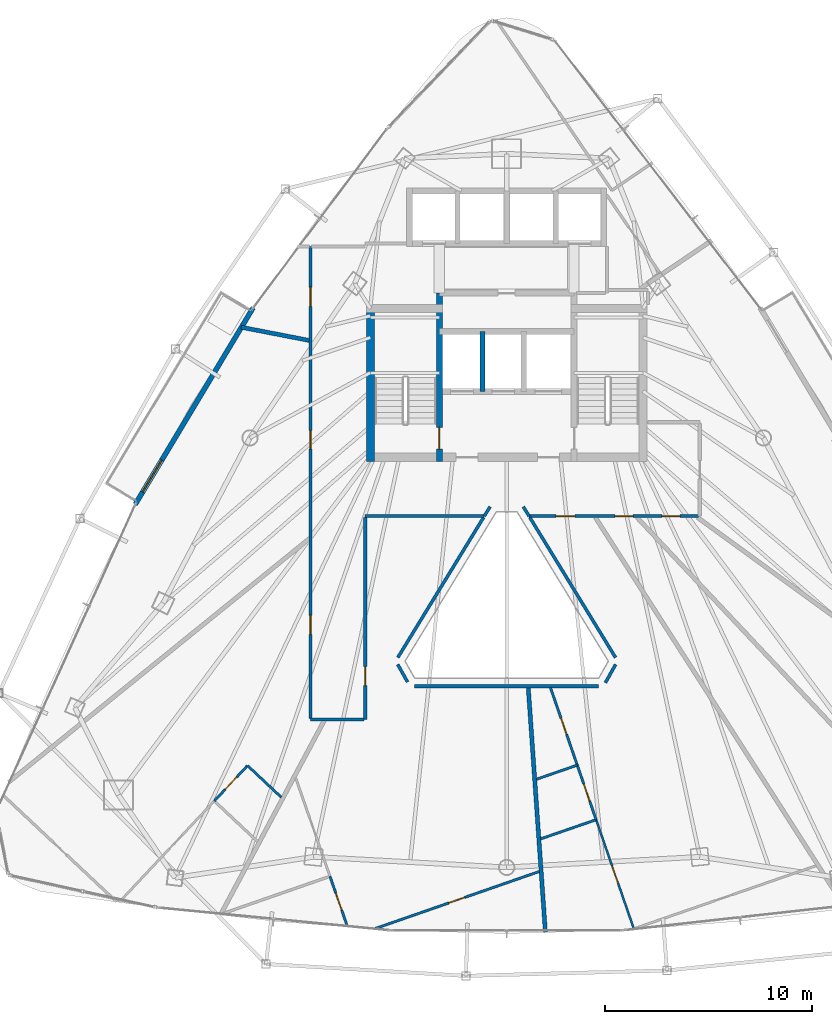
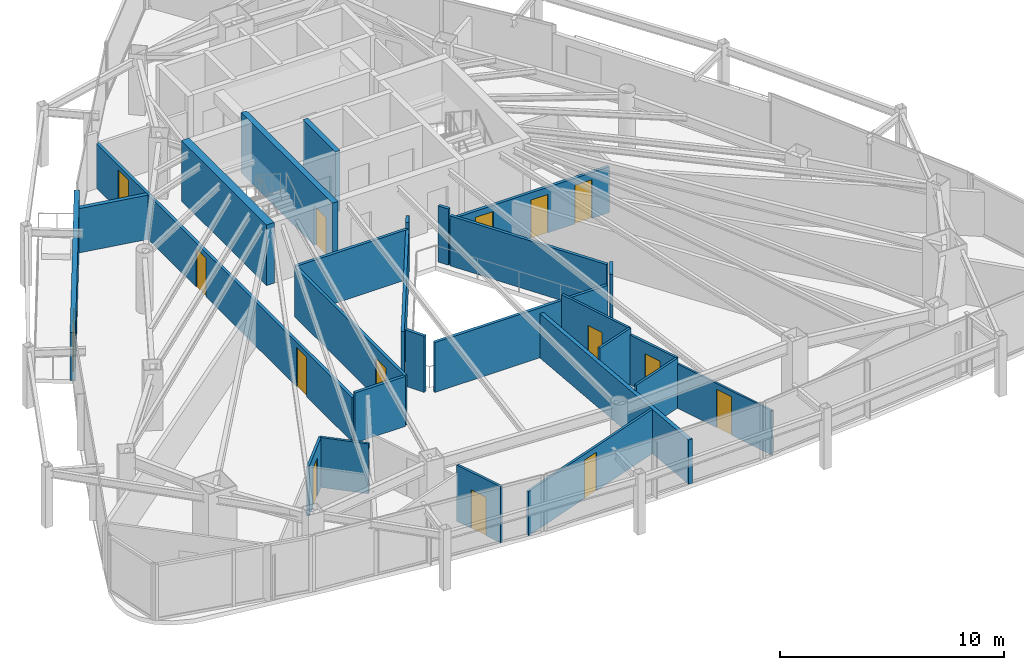
# One storey, part 24 of 29: 27 walls, 15 doors, 15 openings.
"""IFC4 building model written with IfcOpenShell, lengths in metres."""

from ifc_helpers import new_model, si_unit, direction, frame, frame_2d, origin, place, context, subcontext, project, spatial, rectangle, extrude, material, layer, layer_set, type_object, element, fill, save


model = new_model("IFC4")

# Units and contexts
model_context = context("Model", 3, precision=1e-05, world=origin(), true_north=direction((0.0, 1.0)))
body_context = subcontext(model_context, "Body", "Model", "MODEL_VIEW")
ifc_project = project(units=[si_unit("LENGTHUNIT", "METRE"), si_unit("AREAUNIT", "SQUARE_METRE"), si_unit("VOLUMEUNIT", "CUBIC_METRE"), si_unit("PLANEANGLEUNIT", "RADIAN"), si_unit("MASSUNIT", "GRAM", prefix="KILO")], contexts=[model_context])

# Site, building, storey
site_placement = place(None, origin())
site = spatial("IfcSite", under=ifc_project, at=site_placement, CompositionType="ELEMENT")
building_placement = place(site_placement, origin())
building = spatial("IfcBuilding", under=site, at=building_placement, Name="Orvanel Arch Residences", CompositionType="ELEMENT")
storey_placement = place(building_placement, frame((0.0, 0.0, 163.85009765625)))
storey = spatial("IfcBuildingStorey", under=building, at=storey_placement, Name="L46", CompositionType="ELEMENT", Elevation=163.85009765625)

# Wall, opening, door
ifc_material_1 = material(Name="Precast concrete N50 (50 MPa)", Category="concrete")
ifc_layer_1 = layer(ifc_material_1, 0.239990234375)
ifc_layer_set_1 = layer_set([ifc_layer_1], Name="Precast concrete N50 (50 MPa)")
wall_type_1 = type_object("IfcWallType", Name="EW-BAL-240", PredefinedType="SOLIDWALL", material=ifc_layer_set_1)
wall_1_placement = place(storey_placement, frame((20.721923828125, 33.93994140625, 0.0), z_axis=(0.0, 0.0, 1.0), x_axis=(-0.514334017412, -0.85758994778, 0.0)))
wall_1 = element("IfcWall", 1, at=wall_1_placement, inside=storey, type_object=wall_type_1, Name="L46 Balcony Threshold Wall Face 1", PredefinedType="SOLIDWALL", context=body_context, shape_type="SweptSolid", body=[
    extrude(rectangle(XDim=11.099853515625, YDim=0.239990234375, at=frame_2d((5.5498046875, 0.0))), origin(), (0.0, 0.0, 1.0), 2.6240234375),
])
opening_1_placement = place(wall_1_placement, frame((8.60205078125, 0.0, 0.0)))
opening_1 = element("IfcOpeningElement", 2, at=opening_1_placement, cuts=wall_1, Name="Opening DB-180", PredefinedType="OPENING", context=body_context, shape_type="SweptSolid", body=[
    extrude(rectangle(XDim=1.800048828125, YDim=2.199951171875, at=frame_2d((0.89990234375, 1.10009765625))), frame((0.0, 0.1298828125, 0.0), z_axis=(0.0, -1.0, 0.0), x_axis=(1.0, 0.0, 0.0)), (0.0, 0.0, 1.0), 0.260009765625),
])
ifc_material_2 = material(Name="Bronze-anodised aluminium AA6063-T6", Category="aluminium")
door_type_1 = type_object("IfcDoorType", Name="DR-BAL-1800", OperationType="NOTDEFINED", PredefinedType="DOOR", material=ifc_material_2)
door_1_placement = place(opening_1_placement, origin())
door_1 = element("IfcDoor", 3, at=door_1_placement, inside=storey, type_object=door_type_1, Name="DR-L46-BAL-F1 L46 Planted Balcony Access Door Face 1", OperationType="SINGLE_SWING_LEFT", OverallHeight=2.199951171875, OverallWidth=1.800048828125, PredefinedType="DOOR", context=body_context, shape_type="SweptSolid", body=[
    extrude(rectangle(XDim=1.800048828125, YDim=2.199951171875, at=frame_2d((0.89990234375, 1.10009765625))), frame((0.0, 0.02490234375, 0.0), z_axis=(0.0, -1.0, 0.0), x_axis=(1.0, 0.0, 0.0)), (0.0, 0.0, 1.0), 0.050048828125),
])
fill(opening_1, door_1)

# Wall
ifc_material_3 = material(Name="Concrete N50 (50 MPa)", Category="concrete")
ifc_layer_2 = layer(ifc_material_3, 0.25)
ifc_layer_set_2 = layer_set([ifc_layer_2], Name="Concrete N50 (50 MPa)")
wall_type_2 = type_object("IfcWallType", Name="SW-CORE-250", PredefinedType="SHEAR", material=ifc_layer_set_2)
wall_2_placement = place(storey_placement, frame((31.824951171875, 29.889892578125, 0.0), z_axis=(0.0, 0.0, 1.0), x_axis=(0.0, 1.0, 0.0)))
element("IfcWall", 4, at=wall_2_placement, inside=storey, type_object=wall_type_2, Name="L46 Emergency Lift Inter-Shaft Wall F12", PredefinedType="SHEAR", context=body_context, shape_type="SweptSolid", body=[
    extrude(rectangle(XDim=2.900146484375, YDim=0.25, at=frame_2d((1.4501953125, 0.0))), origin(), (0.0, 0.0, 1.0), 3.2998046875),
])

# Wall, opening, door
ifc_material_4 = material(Name="Concrete S65 (65 MPa)", Category="concrete")
ifc_layer_3 = layer(ifc_material_4, 0.280029296875)
ifc_layer_set_3 = layer_set([ifc_layer_3], Name="Concrete S65 (65 MPa)")
wall_type_3 = type_object("IfcWallType", Name="SW-CORE-280", PredefinedType="SHEAR", material=ifc_layer_set_3)
wall_3_placement = place(storey_placement, frame((29.739990234375, 26.5, 0.0), z_axis=(0.0, 0.0, 1.0), x_axis=(0.0, 1.0, 0.0)))
wall_3 = element("IfcWall", 5, at=wall_3_placement, inside=storey, type_object=wall_type_3, Name="L46 West Inner Core Spine Shear Wall", PredefinedType="SHEAR", context=body_context, shape_type="SweptSolid", body=[
    extrude(rectangle(XDim=8.14990234375, YDim=0.280029296875, at=frame_2d((4.074951171875, 0.0))), origin(), (0.0, 0.0, 1.0), 3.2998046875),
])
opening_2_placement = place(wall_3_placement, frame((0.60009765625, 0.0, 0.0)))
opening_2 = element("IfcOpeningElement", 6, at=opening_2_placement, cuts=wall_3, Name="Opening DF-120", PredefinedType="OPENING", context=body_context, shape_type="SweptSolid", body=[
    extrude(rectangle(XDim=1.050048828125, YDim=2.14990234375, at=frame_2d((0.52490234375, 1.074951171875))), frame((0.0, 0.14990234375, 0.0), z_axis=(0.0, -1.0, 0.0), x_axis=(1.0, 0.0, 0.0)), (0.0, 0.0, 1.0), 0.300048828125),
])
ifc_material_5 = material(Name="Galvanised steel fire-resisting door assembly", Category="steel")
door_type_2 = type_object("IfcDoorType", Name="DR-FD120-1050", OperationType="NOTDEFINED", PredefinedType="DOOR", material=ifc_material_5)
door_2_placement = place(opening_2_placement, origin())
door_2 = element("IfcDoor", 7, at=door_2_placement, inside=storey, type_object=door_type_2, Name="DR-L46-ST1 L46 Stair 1 Fire Door", OperationType="SINGLE_SWING_LEFT", OverallHeight=2.14990234375, OverallWidth=1.050048828125, PredefinedType="DOOR", context=body_context, shape_type="SweptSolid", body=[
    extrude(rectangle(XDim=1.050048828125, YDim=2.14990234375, at=frame_2d((0.52490234375, 1.074951171875))), frame((0.0, 0.02490234375, 0.0), z_axis=(0.0, -1.0, 0.0), x_axis=(1.0, 0.0, 0.0)), (0.0, 0.0, 1.0), 0.050048828125),
])
fill(opening_2, door_2)

# Walls
ifc_layer_4 = layer(ifc_material_4, 0.39990234375)
ifc_layer_set_4 = layer_set([ifc_layer_4], Name="Concrete S65 (65 MPa)")
wall_type_4 = type_object("IfcWallType", Name="SW-CORE-400", PredefinedType="SHEAR", material=ifc_layer_set_4)
wall_4_placement = place(storey_placement, frame((26.39990234375, 26.5, 0.0), z_axis=(0.0, 0.0, 1.0), x_axis=(0.0, 1.0, 0.0)))
element("IfcWall", 8, at=wall_4_placement, inside=storey, type_object=wall_type_4, Name="L46 West Stair Shear Wall", PredefinedType="SHEAR", context=body_context, shape_type="SweptSolid", body=[
    extrude(rectangle(XDim=7.60009765625, YDim=0.39990234375, at=frame_2d((3.800048828125, 0.0))), origin(), (0.0, 0.0, 1.0), 3.2998046875),
])
ifc_material_6 = material(Name="Fire-rated plasterboard lined steel stud partition", Category="steel")
ifc_layer_5 = layer(ifc_material_6, 0.14990234375)
ifc_layer_set_5 = layer_set([ifc_layer_5], Name="Fire-rated plasterboard lined steel stud partition")
wall_type_5 = type_object("IfcWallType", Name="W-COR-150", PredefinedType="PARTITIONING", material=ifc_layer_set_5)
wall_5_placement = place(storey_placement, frame((32.197021484375, 24.305908203125, 0.0), z_axis=(0.0, 0.0, 1.0), x_axis=(-0.530039765459, -0.847972786728, 0.0)))
element("IfcWall", 9, at=wall_5_placement, inside=storey, type_object=wall_type_5, Name="L46 Corridor Fire-Rated Partition", PredefinedType="PARTITIONING", context=body_context, shape_type="SweptSolid", body=[
    extrude(rectangle(XDim=0.53759765625, YDim=0.14990234375, at=frame_2d((0.268798828125, 0.0))), origin(), (0.0, 0.0, 1.0), 3.059814453125),
])
wall_6_placement = place(storey_placement, frame((31.912109375, 23.85009765625, 0.0), z_axis=(0.0, 0.0, 1.0), x_axis=(-1.0, 0.0, 0.0)))
element("IfcWall", 10, at=wall_6_placement, inside=storey, type_object=wall_type_5, Name="L46 Corridor Fire-Rated Partition", PredefinedType="PARTITIONING", context=body_context, shape_type="SweptSolid", body=[
    extrude(rectangle(XDim=5.76220703125, YDim=0.14990234375, at=frame_2d((2.881103515625, 0.0))), origin(), (0.0, 0.0, 1.0), 2.720947265625),
])

# Wall, opening, door
wall_7_placement = place(storey_placement, frame((26.14990234375, 23.7900390625, 0.0), z_axis=(0.0, 0.0, 1.0), x_axis=(0.0, -1.0, 0.0)))
wall_7 = element("IfcWall", 11, at=wall_7_placement, inside=storey, type_object=wall_type_5, Name="L46 Corridor Fire-Rated Partition", PredefinedType="PARTITIONING", context=body_context, shape_type="SweptSolid", body=[
    extrude(rectangle(XDim=9.7900390625, YDim=0.14990234375, at=frame_2d((4.89501953125, 0.0))), origin(), (0.0, 0.0, 1.0), 2.720947265625),
])
opening_3_placement = place(wall_7_placement, frame((7.220947265625, 0.0, 0.0)))
opening_3 = element("IfcOpeningElement", 12, at=opening_3_placement, cuts=wall_7, Name="Opening DA-092", PredefinedType="OPENING", context=body_context, shape_type="SweptSolid", body=[
    extrude(rectangle(XDim=0.919921875, YDim=2.14990234375, at=frame_2d((0.4599609375, 1.074951171875))), frame((0.0, 0.0849609375, 0.0), z_axis=(0.0, -1.0, 0.0), x_axis=(1.0, 0.0, 0.0)), (0.0, 0.0, 1.0), 0.169921875),
])
ifc_material_7 = material(Name="Solid-core European oak veneer fire door leaf", Category="wood")
door_type_3 = type_object("IfcDoorType", Name="DR-APT-920", OperationType="NOTDEFINED", PredefinedType="DOOR", material=ifc_material_7)
door_3_placement = place(opening_3_placement, origin())
door_3 = element("IfcDoor", 13, at=door_3_placement, inside=storey, type_object=door_type_3, Name="DR-L46-B-ENT L46 Studio B Entrance Door", OperationType="SINGLE_SWING_LEFT", OverallHeight=2.14990234375, OverallWidth=0.919921875, PredefinedType="DOOR", context=body_context, shape_type="SweptSolid", body=[
    extrude(rectangle(XDim=0.919921875, YDim=2.14990234375, at=frame_2d((0.4599609375, 1.074951171875))), frame((0.0, 0.02490234375, 0.0), z_axis=(0.0, -1.0, 0.0), x_axis=(1.0, 0.0, 0.0)), (0.0, 0.0, 1.0), 0.050048828125),
])
fill(opening_3, door_3)

# Wall
wall_8_placement = place(storey_placement, frame((26.090087890625, 14.0, 0.0), z_axis=(0.0, 0.0, 1.0), x_axis=(-1.0, 0.0, 0.0)))
element("IfcWall", 14, at=wall_8_placement, inside=storey, type_object=wall_type_5, Name="L46 Corridor Fire-Rated Partition", PredefinedType="PARTITIONING", context=body_context, shape_type="SweptSolid", body=[
    extrude(rectangle(XDim=2.590087890625, YDim=0.14990234375, at=frame_2d((1.294921875, 0.0))), origin(), (0.0, 0.0, 1.0), 2.720947265625),
])

# Wall, openings, doors
wall_9_placement = place(storey_placement, frame((23.5, 14.06005859375, 0.0), z_axis=(0.0, 0.0, 1.0), x_axis=(0.0, 1.0, 0.0)))
wall_9 = element("IfcWall", 15, at=wall_9_placement, inside=storey, type_object=wall_type_5, Name="L46 Corridor Fire-Rated Partition", PredefinedType="PARTITIONING", context=body_context, shape_type="SweptSolid", body=[
    extrude(rectangle(XDim=22.83984375, YDim=0.14990234375, at=frame_2d((11.419921875, 0.0))), origin(), (0.0, 0.0, 1.0), 2.412841796875),
])
opening_4_placement = place(wall_9_placement, frame((4.06396484375, 0.0, 0.0)))
opening_4 = element("IfcOpeningElement", 16, at=opening_4_placement, cuts=wall_9, Name="Opening DA-092", PredefinedType="OPENING", context=body_context, shape_type="SweptSolid", body=[
    extrude(rectangle(XDim=0.919921875, YDim=2.14990234375, at=frame_2d((0.4599609375, 1.074951171875))), frame((0.0, 0.0849609375, 0.0), z_axis=(0.0, -1.0, 0.0), x_axis=(1.0, 0.0, 0.0)), (0.0, 0.0, 1.0), 0.169921875),
])
opening_5_placement = place(wall_9_placement, frame((13.047119140625, 0.0, 0.0)))
opening_5 = element("IfcOpeningElement", 17, at=opening_5_placement, cuts=wall_9, Name="Opening DI-088", PredefinedType="OPENING", context=body_context, shape_type="SweptSolid", body=[
    extrude(rectangle(XDim=0.8798828125, YDim=2.10009765625, at=frame_2d((0.43994140625, 1.050048828125))), frame((0.0, 0.0849609375, 0.0), z_axis=(0.0, -1.0, 0.0), x_axis=(1.0, 0.0, 0.0)), (0.0, 0.0, 1.0), 0.169921875),
])
opening_6_placement = place(wall_9_placement, frame((19.952880859375, 0.0, 0.0)))
opening_6 = element("IfcOpeningElement", 18, at=opening_6_placement, cuts=wall_9, Name="Opening DA-092", PredefinedType="OPENING", context=body_context, shape_type="SweptSolid", body=[
    extrude(rectangle(XDim=0.919921875, YDim=2.14990234375, at=frame_2d((0.4599609375, 1.074951171875))), frame((0.0, 0.0849609375, 0.0), z_axis=(0.0, -1.0, 0.0), x_axis=(1.0, 0.0, 0.0)), (0.0, 0.0, 1.0), 0.169921875),
])
door_4_placement = place(opening_4_placement, origin())
door_4 = element("IfcDoor", 19, at=door_4_placement, inside=storey, type_object=door_type_3, Name="DR-L46-C-ENT L46 Flat C Entrance Door", OperationType="SINGLE_SWING_RIGHT", OverallHeight=2.14990234375, OverallWidth=0.919921875, PredefinedType="DOOR", context=body_context, shape_type="SweptSolid", body=[
    extrude(rectangle(XDim=0.919921875, YDim=2.14990234375, at=frame_2d((0.4599609375, 1.074951171875))), frame((0.0, 0.02490234375, 0.0), z_axis=(0.0, -1.0, 0.0), x_axis=(1.0, 0.0, 0.0)), (0.0, 0.0, 1.0), 0.050048828125),
])
fill(opening_4, door_4)
door_5_placement = place(opening_6_placement, origin())
door_5 = element("IfcDoor", 20, at=door_5_placement, inside=storey, type_object=door_type_3, Name="DR-L46-F-ENT L46 Studio F Entrance Door", OperationType="SINGLE_SWING_LEFT", OverallHeight=2.14990234375, OverallWidth=0.919921875, PredefinedType="DOOR", context=body_context, shape_type="SweptSolid", body=[
    extrude(rectangle(XDim=0.919921875, YDim=2.14990234375, at=frame_2d((0.4599609375, 1.074951171875))), frame((0.0, 0.02490234375, 0.0), z_axis=(0.0, -1.0, 0.0), x_axis=(1.0, 0.0, 0.0)), (0.0, 0.0, 1.0), 0.050048828125),
])
fill(opening_6, door_5)
door_type_4 = type_object("IfcDoorType", Name="DR-INT-880", OperationType="NOTDEFINED", PredefinedType="DOOR", material=ifc_material_7)
door_6_placement = place(opening_5_placement, origin())
door_6 = element("IfcDoor", 21, at=door_6_placement, inside=storey, type_object=door_type_4, Name="DR-L46-SHRD-FB5 L46 Co-Working Study Office E Door", OperationType="SINGLE_SWING_LEFT", OverallHeight=2.10009765625, OverallWidth=0.8798828125, PredefinedType="DOOR", context=body_context, shape_type="SweptSolid", body=[
    extrude(rectangle(XDim=0.8798828125, YDim=2.10009765625, at=frame_2d((0.43994140625, 1.050048828125))), frame((0.0, 0.02490234375, 0.0), z_axis=(0.0, -1.0, 0.0), x_axis=(1.0, 0.0, 0.0)), (0.0, 0.0, 1.0), 0.050048828125),
])
fill(opening_5, door_6)

wall_10_placement = place(storey_placement, frame((42.2900390625, 23.85009765625, 0.0), z_axis=(0.0, 0.0, 1.0), x_axis=(-1.0, 0.0, 0.0)))
wall_10 = element("IfcWall", 22, at=wall_10_placement, inside=storey, type_object=wall_type_5, Name="L46 Corridor Fire-Rated Partition", PredefinedType="PARTITIONING", context=body_context, shape_type="SweptSolid", body=[
    extrude(rectangle(XDim=8.2021484375, YDim=0.14990234375, at=frame_2d((4.10107421875, 0.0))), origin(), (0.0, 0.0, 1.0), 2.491943359375),
])
opening_7_placement = place(wall_10_placement, frame((5.987060546875, 0.0, 0.0)))
opening_7 = element("IfcOpeningElement", 23, at=opening_7_placement, cuts=wall_10, Name="Opening DA-092", PredefinedType="OPENING", context=body_context, shape_type="SweptSolid", body=[
    extrude(rectangle(XDim=0.919921875, YDim=2.14990234375, at=frame_2d((0.4599609375, 1.074951171875))), frame((0.0, 0.0849609375, 0.0), z_axis=(0.0, -1.0, 0.0), x_axis=(1.0, 0.0, 0.0)), (0.0, 0.0, 1.0), 0.169921875),
])
opening_8_placement = place(wall_10_placement, frame((0.89404296875, 0.0, 0.0)))
opening_8 = element("IfcOpeningElement", 24, at=opening_8_placement, cuts=wall_10, Name="Opening DI-088", PredefinedType="OPENING", context=body_context, shape_type="SweptSolid", body=[
    extrude(rectangle(XDim=0.8798828125, YDim=2.10009765625, at=frame_2d((0.43994140625, 1.050048828125))), frame((0.0, 0.0849609375, 0.0), z_axis=(0.0, -1.0, 0.0), x_axis=(1.0, 0.0, 0.0)), (0.0, 0.0, 1.0), 0.169921875),
])
opening_9_placement = place(wall_10_placement, frame((3.1689453125, 0.0, 0.0)))
opening_9 = element("IfcOpeningElement", 25, at=opening_9_placement, cuts=wall_10, Name="Opening DI-088", PredefinedType="OPENING", context=body_context, shape_type="SweptSolid", body=[
    extrude(rectangle(XDim=0.8798828125, YDim=2.10009765625, at=frame_2d((0.43994140625, 1.050048828125))), frame((0.0, 0.0849609375, 0.0), z_axis=(0.0, -1.0, 0.0), x_axis=(1.0, 0.0, 0.0)), (0.0, 0.0, 1.0), 0.169921875),
])
door_7_placement = place(opening_7_placement, origin())
door_7 = element("IfcDoor", 26, at=door_7_placement, inside=storey, type_object=door_type_3, Name="DR-L46-A-ENT L46 Flat A Entrance Door", OperationType="SINGLE_SWING_RIGHT", OverallHeight=2.14990234375, OverallWidth=0.919921875, PredefinedType="DOOR", context=body_context, shape_type="SweptSolid", body=[
    extrude(rectangle(XDim=0.919921875, YDim=2.14990234375, at=frame_2d((0.4599609375, 1.074951171875))), frame((0.0, 0.02490234375, 0.0), z_axis=(0.0, -1.0, 0.0), x_axis=(1.0, 0.0, 0.0)), (0.0, 0.0, 1.0), 0.050048828125),
])
fill(opening_7, door_7)
door_8_placement = place(opening_8_placement, origin())
door_8 = element("IfcDoor", 27, at=door_8_placement, inside=storey, type_object=door_type_4, Name="DR-L46-SHRD-FB7 L46 Co-Working Study Office G Door", OperationType="SINGLE_SWING_LEFT", OverallHeight=2.10009765625, OverallWidth=0.8798828125, PredefinedType="DOOR", context=body_context, shape_type="SweptSolid", body=[
    extrude(rectangle(XDim=0.8798828125, YDim=2.10009765625, at=frame_2d((0.43994140625, 1.050048828125))), frame((0.0, 0.02490234375, 0.0), z_axis=(0.0, -1.0, 0.0), x_axis=(1.0, 0.0, 0.0)), (0.0, 0.0, 1.0), 0.050048828125),
])
fill(opening_8, door_8)
door_9_placement = place(opening_9_placement, origin())
door_9 = element("IfcDoor", 28, at=door_9_placement, inside=storey, type_object=door_type_4, Name="DR-L46-SHRD-FB8 L46 Co-Working Study Office H Door", OperationType="SINGLE_SWING_LEFT", OverallHeight=2.10009765625, OverallWidth=0.8798828125, PredefinedType="DOOR", context=body_context, shape_type="SweptSolid", body=[
    extrude(rectangle(XDim=0.8798828125, YDim=2.10009765625, at=frame_2d((0.43994140625, 1.050048828125))), frame((0.0, 0.02490234375, 0.0), z_axis=(0.0, -1.0, 0.0), x_axis=(1.0, 0.0, 0.0)), (0.0, 0.0, 1.0), 0.050048828125),
])
fill(opening_9, door_9)

# Walls
wall_11_placement = place(storey_placement, frame((34.087890625, 23.85009765625, 0.0), z_axis=(0.0, 0.0, 1.0), x_axis=(-0.530039765459, 0.847972786728, 0.0)))
element("IfcWall", 29, at=wall_11_placement, inside=storey, type_object=wall_type_5, Name="L46 Corridor Fire-Rated Partition", PredefinedType="PARTITIONING", context=body_context, shape_type="SweptSolid", body=[
    extrude(rectangle(XDim=0.53759765625, YDim=0.14990234375, at=frame_2d((0.268798828125, 0.0))), origin(), (0.0, 0.0, 1.0), 3.059814453125),
])
wall_12_placement = place(storey_placement, frame((34.118896484375, 23.7900390625, 0.0), z_axis=(0.0, 0.0, 1.0), x_axis=(0.521942869651, -0.852980445744, 0.0)))
element("IfcWall", 30, at=wall_12_placement, inside=storey, type_object=wall_type_5, Name="L46 Atrium Overlook Glazed Partition", PredefinedType="PARTITIONING", context=body_context, shape_type="SweptSolid", body=[
    extrude(rectangle(XDim=7.953125, YDim=0.14990234375, at=frame_2d((3.9765625, 0.0))), origin(), (0.0, 0.0, 1.0), 2.720947265625),
])
wall_13_placement = place(storey_placement, frame((38.27587890625, 16.669921875, 0.0), z_axis=(0.0, 0.0, 1.0), x_axis=(-0.489067077696, -0.872246177127, 0.0)))
element("IfcWall", 31, at=wall_13_placement, inside=storey, type_object=wall_type_5, Name="L46 Atrium Overlook Glazed Partition", PredefinedType="PARTITIONING", context=body_context, shape_type="SweptSolid", body=[
    extrude(rectangle(XDim=1.009765625, YDim=0.14990234375, at=frame_2d((0.5048828125, 0.0))), origin(), (0.0, 0.0, 1.0), 3.059814453125),
])
wall_14_placement = place(storey_placement, frame((37.452880859375, 15.616943359375, 0.0), z_axis=(0.0, 0.0, 1.0), x_axis=(-1.0, 0.0, 0.0)))
element("IfcWall", 32, at=wall_14_placement, inside=storey, type_object=wall_type_5, Name="L46 Atrium Overlook Glazed Partition", PredefinedType="PARTITIONING", context=body_context, shape_type="SweptSolid", body=[
    extrude(rectangle(XDim=8.90576171875, YDim=0.14990234375, at=frame_2d((4.452880859375, 0.0))), origin(), (0.0, 0.0, 1.0), 2.720947265625),
])
wall_15_placement = place(storey_placement, frame((28.197998046875, 15.821044921875, 0.0), z_axis=(0.0, 0.0, 1.0), x_axis=(-0.487432951818, 0.873160419099, 0.0)))
element("IfcWall", 33, at=wall_15_placement, inside=storey, type_object=wall_type_5, Name="L46 Atrium Overlook Glazed Partition", PredefinedType="PARTITIONING", context=body_context, shape_type="SweptSolid", body=[
    extrude(rectangle(XDim=0.97216796875, YDim=0.14990234375, at=frame_2d((0.486083984375, 0.0))), origin(), (0.0, 0.0, 1.0), 3.059814453125),
])
wall_16_placement = place(storey_placement, frame((27.72998046875, 17.006103515625, 0.0), z_axis=(0.0, 0.0, 1.0), x_axis=(0.521942869651, 0.852980445744, 0.0)))
element("IfcWall", 34, at=wall_16_placement, inside=storey, type_object=wall_type_5, Name="L46 Atrium Overlook Glazed Partition", PredefinedType="PARTITIONING", context=body_context, shape_type="SweptSolid", body=[
    extrude(rectangle(XDim=7.953125, YDim=0.14990234375, at=frame_2d((3.9765625, 0.0))), origin(), (0.0, 0.0, 1.0), 2.720947265625),
])
ifc_layer_6 = layer(ifc_material_6, 0.199951171875)
ifc_layer_set_6 = layer_set([ifc_layer_6], Name="Fire-rated plasterboard lined steel stud partition")
wall_type_6 = type_object("IfcWallType", Name="W-DEM-200", PredefinedType="PARTITIONING", material=ifc_layer_set_6)
wall_17_placement = place(storey_placement, frame((34.8740234375, 3.7041015625, 0.0), z_axis=(0.0, 0.0, 1.0), x_axis=(-0.069779440561, 0.997562443998, 0.0)))
element("IfcWall", 35, at=wall_17_placement, inside=storey, type_object=wall_type_6, Name="L46 Inter-Tenancy Acoustic Demising Wall", PredefinedType="PARTITIONING", context=body_context, shape_type="SweptSolid", body=[
    extrude(rectangle(XDim=11.8818359375, YDim=0.199951171875, at=frame_2d((5.94091796875, 0.0))), origin(), (0.0, 0.0, 1.0), 2.412841796875),
])
wall_18_placement = place(storey_placement, frame((20.14111328125, 33.0, 0.0), z_axis=(0.0, 0.0, 1.0), x_axis=(0.981579076432, -0.191056318163, 0.0)))
element("IfcWall", 36, at=wall_18_placement, inside=storey, type_object=wall_type_6, Name="L46 Inter-Tenancy Acoustic Demising Wall", PredefinedType="PARTITIONING", context=body_context, shape_type="SweptSolid", body=[
    extrude(rectangle(XDim=3.36083984375, YDim=0.199951171875, at=frame_2d((1.680419921875, 0.0))), origin(), (0.0, 0.0, 1.0), 2.412841796875),
])

# Wall, opening, door
ifc_material_8 = material(Name="Acoustic plasterboard lined twin-stud partition", Category="gypsum")
ifc_layer_7 = layer(ifc_material_8, 0.10009765625)
ifc_layer_set_7 = layer_set([ifc_layer_7], Name="Acoustic plasterboard lined twin-stud partition")
wall_type_7 = type_object("IfcWallType", Name="W-INT-100", PredefinedType="PARTITIONING", material=ifc_layer_set_7)
wall_19_placement = place(storey_placement, frame((39.1640625, 3.847900390625, 0.0), z_axis=(0.0, 0.0, 1.0), x_axis=(-0.326778856457, 0.945100830056, 0.0)))
wall_19 = element("IfcWall", 37, at=wall_19_placement, inside=storey, type_object=wall_type_7, Name="L46 Flat A Internal Partition", PredefinedType="PARTITIONING", context=body_context, shape_type="SweptSolid", body=[
    extrude(rectangle(XDim=5.6123046875, YDim=0.10009765625, at=frame_2d((2.80615234375, 0.0))), origin(), (0.0, 0.0, 1.0), 2.412841796875),
])
opening_10_placement = place(wall_19_placement, frame((2.365966796875, 0.0, 0.0)))
opening_10 = element("IfcOpeningElement", 38, at=opening_10_placement, cuts=wall_19, Name="Opening DI-088", PredefinedType="OPENING", context=body_context, shape_type="SweptSolid", body=[
    extrude(rectangle(XDim=0.8798828125, YDim=2.10009765625, at=frame_2d((0.43994140625, 1.050048828125))), frame((0.0, 0.06005859375, 0.0), z_axis=(0.0, -1.0, 0.0), x_axis=(1.0, 0.0, 0.0)), (0.0, 0.0, 1.0), 0.1201171875),
])
door_10_placement = place(opening_10_placement, origin())
door_10 = element("IfcDoor", 39, at=door_10_placement, inside=storey, type_object=door_type_4, Name="DR-L46-A-BED1 L46 Flat A Bedroom 1 Door", OperationType="SINGLE_SWING_LEFT", OverallHeight=2.10009765625, OverallWidth=0.8798828125, PredefinedType="DOOR", context=body_context, shape_type="SweptSolid", body=[
    extrude(rectangle(XDim=0.8798828125, YDim=2.10009765625, at=frame_2d((0.43994140625, 1.050048828125))), frame((0.0, 0.02490234375, 0.0), z_axis=(0.0, -1.0, 0.0), x_axis=(1.0, 0.0, 0.0)), (0.0, 0.0, 1.0), 0.050048828125),
])
fill(opening_10, door_10)

ifc_layer_8 = layer(ifc_material_8, 0.1201171875)
ifc_layer_set_8 = layer_set([ifc_layer_8], Name="Acoustic plasterboard lined twin-stud partition")
wall_type_8 = type_object("IfcWallType", Name="W-WET-120", PredefinedType="PARTITIONING", material=ifc_layer_set_8)
wall_20_placement = place(storey_placement, frame((36.4169921875, 11.7939453125, 0.0), z_axis=(0.0, 0.0, 1.0), x_axis=(-0.326767254884, 0.945104841346, 0.0)))
wall_20 = element("IfcWall", 40, at=wall_20_placement, inside=storey, type_object=wall_type_8, Name="L46 Flat A Bathroom Partition", PredefinedType="PARTITIONING", context=body_context, shape_type="SweptSolid", body=[
    extrude(rectangle(XDim=3.9814453125, YDim=0.1201171875, at=frame_2d((1.99072265625, 0.0))), origin(), (0.0, 0.0, 1.0), 3.059814453125),
])
opening_11_placement = place(wall_20_placement, frame((1.5810546875, 0.0, 0.0)))
opening_11 = element("IfcOpeningElement", 41, at=opening_11_placement, cuts=wall_20, Name="Opening DW-082", PredefinedType="OPENING", context=body_context, shape_type="SweptSolid", body=[
    extrude(rectangle(XDim=0.820068359375, YDim=2.10009765625, at=frame_2d((0.41015625, 1.050048828125))), frame((0.0, 0.070068359375, 0.0), z_axis=(0.0, -1.0, 0.0), x_axis=(1.0, 0.0, 0.0)), (0.0, 0.0, 1.0), 0.14013671875),
])
door_type_5 = type_object("IfcDoorType", Name="DR-WET-820", OperationType="NOTDEFINED", PredefinedType="DOOR", material=ifc_material_7)
door_11_placement = place(opening_11_placement, origin())
door_11 = element("IfcDoor", 42, at=door_11_placement, inside=storey, type_object=door_type_5, Name="DR-L46-A-BATH L46 Flat A Bathroom Door", OperationType="SINGLE_SWING_RIGHT", OverallHeight=2.10009765625, OverallWidth=0.820068359375, PredefinedType="DOOR", context=body_context, shape_type="SweptSolid", body=[
    extrude(rectangle(XDim=0.820068359375, YDim=2.10009765625, at=frame_2d((0.41015625, 1.050048828125))), frame((0.0, 0.02490234375, 0.0), z_axis=(0.0, -1.0, 0.0), x_axis=(1.0, 0.0, 0.0)), (0.0, 0.0, 1.0), 0.050048828125),
])
fill(opening_11, door_11)

wall_21_placement = place(storey_placement, frame((37.330078125, 9.152099609375, 0.0), z_axis=(0.0, 0.0, 1.0), x_axis=(-0.326663542442, 0.945140693251, 0.0)))
wall_21 = element("IfcWall", 43, at=wall_21_placement, inside=storey, type_object=wall_type_8, Name="L46 Flat A Internal Partition", PredefinedType="PARTITIONING", context=body_context, shape_type="SweptSolid", body=[
    extrude(rectangle(XDim=2.795166015625, YDim=0.1201171875, at=frame_2d((1.3974609375, 0.0))), origin(), (0.0, 0.0, 1.0), 2.720947265625),
])
opening_12_placement = place(wall_21_placement, frame((0.9580078125, 0.0, 0.0)))
opening_12 = element("IfcOpeningElement", 44, at=opening_12_placement, cuts=wall_21, Name="Opening DI-088", PredefinedType="OPENING", context=body_context, shape_type="SweptSolid", body=[
    extrude(rectangle(XDim=0.8798828125, YDim=2.10009765625, at=frame_2d((0.43994140625, 1.050048828125))), frame((0.0, 0.070068359375, 0.0), z_axis=(0.0, -1.0, 0.0), x_axis=(1.0, 0.0, 0.0)), (0.0, 0.0, 1.0), 0.14013671875),
])
door_12_placement = place(opening_12_placement, origin())
door_12 = element("IfcDoor", 45, at=door_12_placement, inside=storey, type_object=door_type_4, Name="DR-L46-A-KIT L46 Flat A Kitchen Door", OperationType="SINGLE_SWING_LEFT", OverallHeight=2.10009765625, OverallWidth=0.8798828125, PredefinedType="DOOR", context=body_context, shape_type="SweptSolid", body=[
    extrude(rectangle(XDim=0.8798828125, YDim=2.10009765625, at=frame_2d((0.43994140625, 1.050048828125))), frame((0.0, 0.02490234375, 0.0), z_axis=(0.0, -1.0, 0.0), x_axis=(1.0, 0.0, 0.0)), (0.0, 0.0, 1.0), 0.050048828125),
])
fill(opening_12, door_12)

# Walls
wall_22_placement = place(storey_placement, frame((36.4169921875, 11.7939453125, 0.0), z_axis=(0.0, 0.0, 1.0), x_axis=(-0.945158093584, -0.326613193446, 0.0)))
element("IfcWall", 46, at=wall_22_placement, inside=storey, type_object=wall_type_8, Name="L46 Flat A Bathroom Partition", PredefinedType="PARTITIONING", context=body_context, shape_type="SweptSolid", body=[
    extrude(rectangle(XDim=2.0908203125, YDim=0.1201171875, at=frame_2d((1.04541015625, 0.0))), origin(), (0.0, 0.0, 1.0), 3.059814453125),
])
wall_23_placement = place(storey_placement, frame((37.330078125, 9.152099609375, 0.0), z_axis=(0.0, 0.0, 1.0), x_axis=(-0.945086078656, -0.326821516933, 0.0)))
element("IfcWall", 47, at=wall_23_placement, inside=storey, type_object=wall_type_8, Name="L46 Flat A Internal Partition", PredefinedType="PARTITIONING", context=body_context, shape_type="SweptSolid", body=[
    extrude(rectangle(XDim=2.84326171875, YDim=0.1201171875, at=frame_2d((1.421630859375, 0.0))), origin(), (0.0, 0.0, 1.0), 2.720947265625),
])

# Wall, opening, door
wall_24_placement = place(storey_placement, frame((34.5830078125, 6.64599609375, 0.0), z_axis=(0.0, 0.0, 1.0), x_axis=(-0.944539899325, -0.328396678704, 0.0)))
wall_24 = element("IfcWall", 48, at=wall_24_placement, inside=storey, type_object=wall_type_8, Name="L46 Studio B Bathroom Partition", PredefinedType="PARTITIONING", context=body_context, shape_type="SweptSolid", body=[
    extrude(rectangle(XDim=8.480224609375, YDim=0.1201171875, at=frame_2d((4.240234375, 0.0))), origin(), (0.0, 0.0, 1.0), 2.412841796875),
])
opening_13_placement = place(wall_24_placement, frame((3.830078125, 0.0, 0.0)))
opening_13 = element("IfcOpeningElement", 49, at=opening_13_placement, cuts=wall_24, Name="Opening DW-082", PredefinedType="OPENING", context=body_context, shape_type="SweptSolid", body=[
    extrude(rectangle(XDim=0.820068359375, YDim=2.10009765625, at=frame_2d((0.41015625, 1.050048828125))), frame((0.0, 0.070068359375, 0.0), z_axis=(0.0, -1.0, 0.0), x_axis=(1.0, 0.0, 0.0)), (0.0, 0.0, 1.0), 0.14013671875),
])
door_13_placement = place(opening_13_placement, origin())
door_13 = element("IfcDoor", 50, at=door_13_placement, inside=storey, type_object=door_type_5, Name="DR-L46-B-BATH L46 Studio B Bathroom Door", OperationType="SINGLE_SWING_RIGHT", OverallHeight=2.10009765625, OverallWidth=0.820068359375, PredefinedType="DOOR", context=body_context, shape_type="SweptSolid", body=[
    extrude(rectangle(XDim=0.820068359375, YDim=2.10009765625, at=frame_2d((0.41015625, 1.050048828125))), frame((0.0, 0.02490234375, 0.0), z_axis=(0.0, -1.0, 0.0), x_axis=(1.0, 0.0, 0.0)), (0.0, 0.0, 1.0), 0.050048828125),
])
fill(opening_13, door_13)

wall_25_placement = place(storey_placement, frame((25.291015625, 3.968994140625, 0.0), z_axis=(0.0, 0.0, 1.0), x_axis=(-0.328440044658, 0.944524820778, 0.0)))
wall_25 = element("IfcWall", 51, at=wall_25_placement, inside=storey, type_object=wall_type_8, Name="L46 Studio B Internal Partition", PredefinedType="PARTITIONING", context=body_context, shape_type="SweptSolid", body=[
    extrude(rectangle(XDim=2.585205078125, YDim=0.1201171875, at=frame_2d((1.29248046875, 0.0))), origin(), (0.0, 0.0, 1.0), 3.059814453125),
])
opening_14_placement = place(wall_25_placement, frame((0.85302734375, 0.0, 0.0)))
opening_14 = element("IfcOpeningElement", 52, at=opening_14_placement, cuts=wall_25, Name="Opening DI-088", PredefinedType="OPENING", context=body_context, shape_type="SweptSolid", body=[
    extrude(rectangle(XDim=0.8798828125, YDim=2.10009765625, at=frame_2d((0.43994140625, 1.050048828125))), frame((0.0, 0.070068359375, 0.0), z_axis=(0.0, -1.0, 0.0), x_axis=(1.0, 0.0, 0.0)), (0.0, 0.0, 1.0), 0.14013671875),
])
door_14_placement = place(opening_14_placement, origin())
door_14 = element("IfcDoor", 53, at=door_14_placement, inside=storey, type_object=door_type_4, Name="DR-L46-B-KIT L46 Studio B Kitchenette Door", OperationType="SINGLE_SWING_LEFT", OverallHeight=2.10009765625, OverallWidth=0.8798828125, PredefinedType="DOOR", context=body_context, shape_type="SweptSolid", body=[
    extrude(rectangle(XDim=0.8798828125, YDim=2.10009765625, at=frame_2d((0.43994140625, 1.050048828125))), frame((0.0, 0.02490234375, 0.0), z_axis=(0.0, -1.0, 0.0), x_axis=(1.0, 0.0, 0.0)), (0.0, 0.0, 1.0), 0.050048828125),
])
fill(opening_14, door_14)

# Wall
wall_26_placement = place(storey_placement, frame((22.0849609375, 10.238037109375, 0.0), z_axis=(0.0, 0.0, 1.0), x_axis=(-0.728663547615, 0.684871837921, 0.0)))
element("IfcWall", 54, at=wall_26_placement, inside=storey, type_object=wall_type_8, Name="L46 Flat C Bathroom Partition", PredefinedType="PARTITIONING", context=body_context, shape_type="SweptSolid", body=[
    extrude(rectangle(XDim=2.2412109375, YDim=0.1201171875, at=frame_2d((1.12060546875, 0.0))), origin(), (0.0, 0.0, 1.0), 2.720947265625),
])

# Wall, opening, door
wall_27_placement = place(storey_placement, frame((20.451904296875, 11.77294921875, 0.0), z_axis=(0.0, 0.0, 1.0), x_axis=(-0.684631978878, -0.728888917118, 0.0)))
wall_27 = element("IfcWall", 55, at=wall_27_placement, inside=storey, type_object=wall_type_8, Name="L46 Flat C Bathroom Partition", PredefinedType="PARTITIONING", context=body_context, shape_type="SweptSolid", body=[
    extrude(rectangle(XDim=2.35009765625, YDim=0.1201171875, at=frame_2d((1.175048828125, 0.0))), origin(), (0.0, 0.0, 1.0), 2.720947265625),
])
opening_15_placement = place(wall_27_placement, frame((0.764892578125, 0.0, 0.0)))
opening_15 = element("IfcOpeningElement", 56, at=opening_15_placement, cuts=wall_27, Name="Opening DW-082", PredefinedType="OPENING", context=body_context, shape_type="SweptSolid", body=[
    extrude(rectangle(XDim=0.820068359375, YDim=2.10009765625, at=frame_2d((0.41015625, 1.050048828125))), frame((0.0, 0.070068359375, 0.0), z_axis=(0.0, -1.0, 0.0), x_axis=(1.0, 0.0, 0.0)), (0.0, 0.0, 1.0), 0.14013671875),
])
door_15_placement = place(opening_15_placement, origin())
door_15 = element("IfcDoor", 57, at=door_15_placement, inside=storey, type_object=door_type_5, Name="DR-L46-C-BATH L46 Flat C Bathroom Door", OperationType="SINGLE_SWING_RIGHT", OverallHeight=2.10009765625, OverallWidth=0.820068359375, PredefinedType="DOOR", context=body_context, shape_type="SweptSolid", body=[
    extrude(rectangle(XDim=0.820068359375, YDim=2.10009765625, at=frame_2d((0.41015625, 1.050048828125))), frame((0.0, 0.02490234375, 0.0), z_axis=(0.0, -1.0, 0.0), x_axis=(1.0, 0.0, 0.0)), (0.0, 0.0, 1.0), 0.050048828125),
])
fill(opening_15, door_15)

save(model, "model.ifc")
